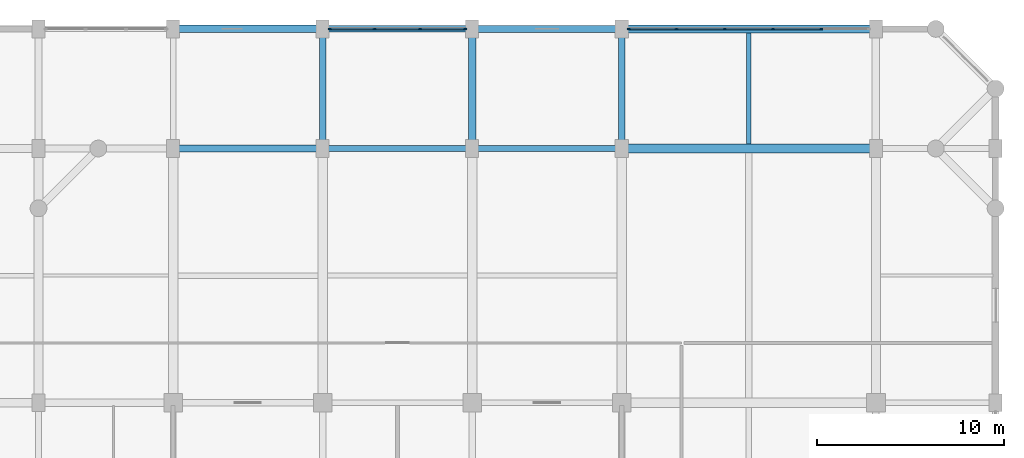
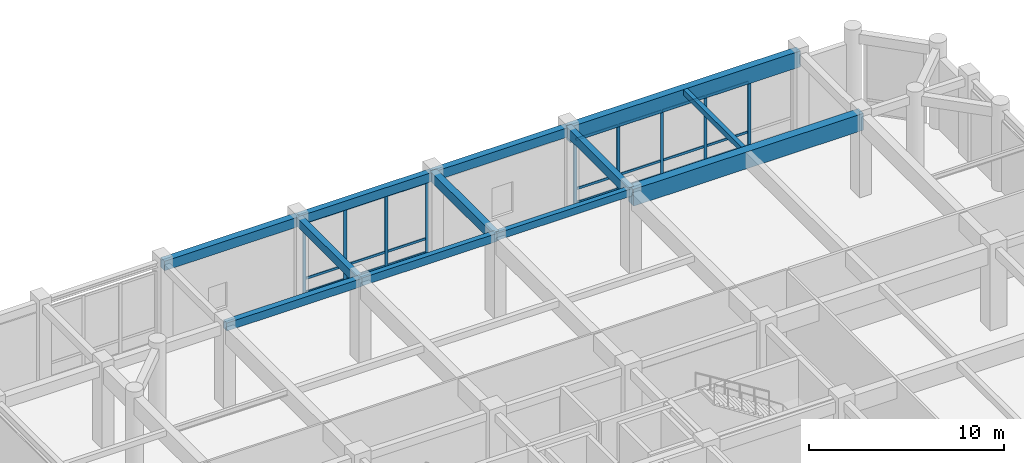
# One storey, part 17 of 36: 30 members, 12 beams, 2 elements without a shape of their own.
"""IFC4 building model written with IfcOpenShell, lengths in metres."""

import ifcopenshell
import ifcopenshell.guid

model = None  # the IFC model being written
_history = None  # IfcOwnerHistory: only IFC2X3 demands one
_inside = {}  # id of a spatial element -> (the spatial element, [elements in it])
_under = {}  # id of a project, library or spatial element -> (it, [spatial elements below it])
_declared = {}  # id of a project -> (the project, [libraries it declares])
_typed = {}  # id of a type object -> (the type object, [elements of that type])
_made_of = {}  # id of a material, layer set ... -> (it, [elements and type objects made of it])


def new_model(schema):
    """Start an empty IFC model of exactly this schema.

    Asked for "IFC4X3", IfcOpenShell would pick the latest addendum, in which some entities
    have other attributes; the version numbers below select the first issue.
    IFC2X3 requires an IfcOwnerHistory on every rooted entity: one is made here for all.
    """
    global model, _history
    if schema == "IFC4X3":
        model = ifcopenshell.file(schema_version=(4, 3, 0, 0))
    else:
        model = ifcopenshell.file(schema=schema)
    _inside.clear()
    _under.clear()
    _declared.clear()
    _typed.clear()
    _made_of.clear()
    _history = None
    if model.schema == "IFC2X3":
        org = make("IfcOrganization", Name="unknown")
        user = make(
            "IfcPersonAndOrganization",
            ThePerson=make("IfcPerson", FamilyName="unknown"),
            TheOrganization=org,
        )
        app = make(
            "IfcApplication",
            ApplicationDeveloper=org,
            Version="unknown",
            ApplicationFullName="unknown",
            ApplicationIdentifier="unknown",
        )
        _history = make(
            "IfcOwnerHistory",
            OwningUser=user,
            OwningApplication=app,
            ChangeAction="ADDED",
            CreationDate=0,
        )
    return model


def make(cls, **values):
    """One entity of the class cls with the attributes given. An attribute that is None is left unset."""
    return model.create_entity(
        cls, **{name: value for name, value in values.items() if value is not None}
    )


def rooted(cls, **values):
    """An entity with a GlobalId (a new one), such as an element, a storey or a relation."""
    return make(cls, GlobalId=ifcopenshell.guid.new(), OwnerHistory=_history, **values)


def si_unit(unit_type, name, prefix=None):
    """IfcSIUnit, for example si_unit("LENGTHUNIT", "METRE", prefix="MILLI")."""
    return make("IfcSIUnit", UnitType=unit_type, Prefix=prefix, Name=name)


def assignment(units):
    """IfcUnitAssignment: the units of a project."""
    return None if units is None else make("IfcUnitAssignment", Units=units)


def point(xyz):
    """IfcCartesianPoint."""
    return None if xyz is None else make("IfcCartesianPoint", Coordinates=xyz)


def direction(xyz):
    """IfcDirection."""
    return None if xyz is None else make("IfcDirection", DirectionRatios=xyz)


def frame(location, z_axis=None, x_axis=None):
    """IfcAxis2Placement3D, a coordinate frame: its origin and axes. An axis left out is left unset."""
    return make(
        "IfcAxis2Placement3D",
        Location=point(location),
        Axis=direction(z_axis),
        RefDirection=direction(x_axis),
    )


def frame_2d(location, x_axis=None):
    """IfcAxis2Placement2D, a coordinate frame in the plane: its origin and x axis."""
    return make(
        "IfcAxis2Placement2D", Location=point(location), RefDirection=direction(x_axis)
    )


def origin():
    """The frame at (0, 0, 0) with its axes left unset."""
    return frame((0.0, 0.0, 0.0))


def origin_2d():
    """The frame at (0, 0) in the plane with its x axis left unset."""
    return frame_2d((0.0, 0.0))


def place(relative_to, where):
    """IfcLocalPlacement: puts the frame where relative to a parent placement (None: the world)."""
    return make(
        "IfcLocalPlacement", PlacementRelTo=relative_to, RelativePlacement=where
    )


def context(
    kind, dimensions, precision=None, world=None, true_north=None, identifier=None
):
    """IfcGeometricRepresentationContext, for example the 3D "Model" context."""
    return make(
        "IfcGeometricRepresentationContext",
        ContextIdentifier=identifier,
        ContextType=kind,
        CoordinateSpaceDimension=dimensions,
        Precision=precision,
        WorldCoordinateSystem=world,
        TrueNorth=true_north,
    )


def subcontext(parent, identifier, kind, view, scale=None):
    """IfcGeometricRepresentationSubContext, for example "Body" below "Model"."""
    return make(
        "IfcGeometricRepresentationSubContext",
        ContextIdentifier=identifier,
        ContextType=kind,
        ParentContext=parent,
        TargetScale=scale,
        TargetView=view,
    )


def project(units=None, contexts=None):
    """IfcProject with its units and contexts."""
    return rooted(
        "IfcProject",
        Name="project",
        RepresentationContexts=contexts,
        UnitsInContext=assignment(units),
    )


def spatial(cls, under=None, at=None, **own):
    """A site, building, storey or space (cls), placed at a placement, below another one or the project."""
    s = rooted(cls, ObjectPlacement=at, **own)
    if under is not None:
        _under.setdefault(under.id(), (under, []))[1].append(s)
    return s


def profile(cls, at=None, kind="AREA", **sizes):
    """A parametric profile (cls). Its sizes go by their IFC names, for example OverallWidth=200.0."""
    return make(cls, ProfileType=kind, Position=at, **sizes)


def rectangle(**sizes):
    """IfcRectangleProfileDef."""
    return profile("IfcRectangleProfileDef", **sizes)


def extrude(swept, where, along, depth):
    """IfcExtrudedAreaSolid: the profile swept, set in the frame where, extruded along a direction by depth."""
    return make(
        "IfcExtrudedAreaSolid",
        SweptArea=swept,
        Position=where,
        ExtrudedDirection=direction(along),
        Depth=depth,
    )


def shape(context_of_items, identifier, shape_type, items):
    """IfcShapeRepresentation: the items that make up one representation, for example the "Body"."""
    return make(
        "IfcShapeRepresentation",
        ContextOfItems=context_of_items,
        RepresentationIdentifier=identifier,
        RepresentationType=shape_type,
        Items=items,
    )


def material(Name=None, Category=None):
    """IfcMaterial."""
    return make("IfcMaterial", Name=Name, Category=Category)


def material_profile(
    of_material, cross_section, Name=None, Category=None, Priority=None
):
    """IfcMaterialProfile: a cross section and its material."""
    return make(
        "IfcMaterialProfile",
        Name=Name,
        Material=of_material,
        Profile=cross_section,
        Priority=Priority,
        Category=Category,
    )


def profile_set(profiles, Name=None, composite=None):
    """IfcMaterialProfileSet."""
    return make(
        "IfcMaterialProfileSet",
        Name=Name,
        MaterialProfiles=profiles,
        CompositeProfile=composite,
    )


def made_of(thing, what):
    """Note that an element or type object is made of a material, layer set ...; save() writes the relation."""
    if what is not None:
        _made_of.setdefault(what.id(), (what, []))[1].append(thing)
    return thing


def type_object(cls, material=None, **own):
    """A type object (cls), such as IfcWallType, which elements share."""
    return made_of(rooted(cls, **own), material)


def element(
    cls,
    number,
    at=None,
    inside=None,
    cuts=None,
    type_object=None,
    material=None,
    context=None,
    identifier="Body",
    shape_type=None,
    held_by="IfcProductDefinitionShape",
    body=None,
    shapes=None,
    **own,
):
    """One element of the class cls, such as IfcWall. Its Tag is "e" and its number.

    at: its placement. inside: the storey or other place that contains it. cuts: it is an
    opening in that element (IfcRelVoidsElement). A single representation is given by context,
    identifier, shape_type and body (its items); several are given by shapes. held_by: the class
    of the entity that holds the representations. save() writes the other relations.
    """
    e = rooted(cls, Tag="e%d" % number, ObjectPlacement=at, **own)
    if body is not None:
        shapes = [shape(context, identifier, shape_type, body)]
    if shapes is not None:
        e.Representation = make(held_by, Representations=shapes)
    if inside is not None:
        _inside.setdefault(inside.id(), (inside, []))[1].append(e)
    if cuts is not None:
        rooted(
            "IfcRelVoidsElement", RelatingBuildingElement=cuts, RelatedOpeningElement=e
        )
    if type_object is not None:
        _typed.setdefault(type_object.id(), (type_object, []))[1].append(e)
    return made_of(e, material)


def aggregate(whole, parts):
    """IfcRelAggregates: a whole, such as a stair, and the parts it consists of."""
    return rooted("IfcRelAggregates", RelatingObject=whole, RelatedObjects=parts)


def save(model, path):
    """Write the relations noted so far, then the file.

    IfcRelAggregates (storeys below a building ...), IfcRelContainedInSpatialStructure (elements
    in a storey), IfcRelDefinesByType, IfcRelAssociatesMaterial and IfcRelDeclares: one each for
    every whole, place, type object, material and project.
    """
    for whole, parts in _under.values():
        aggregate(whole, parts)
    for where, things in _inside.values():
        rooted(
            "IfcRelContainedInSpatialStructure",
            RelatedElements=things,
            RelatingStructure=where,
        )
    for kind, things in _typed.values():
        rooted("IfcRelDefinesByType", RelatedObjects=things, RelatingType=kind)
    for what, things in _made_of.values():
        rooted("IfcRelAssociatesMaterial", RelatedObjects=things, RelatingMaterial=what)
    for by, libraries in _declared.values():
        rooted("IfcRelDeclares", RelatingContext=by, RelatedDefinitions=libraries)
    model.write(path)


model = new_model("IFC4")

# Units and contexts
model_context = context("Model", 3, precision=1e-05, world=origin(), true_north=direction((0.0, 1.0)))
body_context = subcontext(model_context, "Body", "Model", "MODEL_VIEW")
ifc_project = project(units=[si_unit("LENGTHUNIT", "METRE"), si_unit("AREAUNIT", "SQUARE_METRE"), si_unit("VOLUMEUNIT", "CUBIC_METRE"), si_unit("PLANEANGLEUNIT", "RADIAN"), si_unit("MASSUNIT", "GRAM", prefix="KILO")], contexts=[model_context])

# Site, building, storey
site_placement = place(None, origin())
site = spatial("IfcSite", under=ifc_project, at=site_placement, CompositionType="ELEMENT")
building_placement = place(site_placement, origin())
building = spatial("IfcBuilding", under=site, at=building_placement, Name="Vellmiral Cinema and Media Centre", CompositionType="ELEMENT")
storey_placement = place(building_placement, frame((0.0, 0.0, 5.39990234375)))
storey = spatial("IfcBuildingStorey", under=building, at=storey_placement, Name="L01", CompositionType="ELEMENT", Elevation=5.39990234375)

# Beams
ifc_material_1 = material(Name="Concrete C40/50", Category="concrete")
ifc_material_profile_1 = material_profile(ifc_material_1, rectangle(XDim=0.300048828125, YDim=0.449951171875, at=origin_2d()), Name="RC 300x450")
ifc_profile_set_1 = profile_set([ifc_material_profile_1], Name="Concrete C40/50")
beam_type_1 = type_object("IfcBeamType", Name="BM-RC-300x450", PredefinedType="BEAM", material=ifc_profile_set_1)
beam_1_placement = place(storey_placement, frame((140.0, 108.800048828125, 4.81005859375), z_axis=(1.0, 0.0, 0.0), x_axis=(0.0, 1.0, 0.0)))
element("IfcBeam", 1, at=beam_1_placement, inside=storey, type_object=beam_type_1, Name="Grid Beam L01-X169", PredefinedType="BEAM", context=body_context, shape_type="SweptSolid", body=[
    extrude(rectangle(XDim=0.300048828125, YDim=0.449951171875, at=origin_2d()), origin(), (0.0, 0.0, 1.0), 8.0),
])
ifc_material_2 = material(Name="Concrete C40/50", Category="concrete")
ifc_material_profile_2 = material_profile(ifc_material_2, rectangle(XDim=0.300048828125, YDim=0.5, at=origin_2d()), Name="RC 300x500")
ifc_profile_set_2 = profile_set([ifc_material_profile_2], Name="Concrete C40/50")
beam_type_2 = type_object("IfcBeamType", Name="BM-RC-300x500", PredefinedType="BEAM", material=ifc_profile_set_2)
beam_2_placement = place(storey_placement, frame((132.0, 108.800048828125, 4.78515625), z_axis=(1.0, 0.0, 0.0), x_axis=(0.0, 1.0, 0.0)))
element("IfcBeam", 2, at=beam_2_placement, inside=storey, type_object=beam_type_2, Name="Grid Beam L01-X168", PredefinedType="BEAM", context=body_context, shape_type="SweptSolid", body=[
    extrude(rectangle(XDim=0.300048828125, YDim=0.5, at=origin_2d()), origin(), (0.0, 0.0, 1.0), 8.0),
])
ifc_material_3 = material(Name="Concrete C40/50", Category="concrete")
ifc_material_profile_3 = material_profile(ifc_material_3, rectangle(XDim=0.35009765625, YDim=0.5, at=origin_2d()), Name="RC 350x500")
ifc_profile_set_3 = profile_set([ifc_material_profile_3], Name="Concrete C40/50")
beam_type_3 = type_object("IfcBeamType", Name="BM-RC-350x500", PredefinedType="BEAM", material=ifc_profile_set_3)
beam_3_placement = place(storey_placement, frame((124.0, 108.800048828125, 4.78515625), z_axis=(1.0, 0.0, 0.0), x_axis=(0.0, 1.0, 0.0)))
element("IfcBeam", 3, at=beam_3_placement, inside=storey, type_object=beam_type_3, Name="Grid Beam L01-X167", PredefinedType="BEAM", context=body_context, shape_type="SweptSolid", body=[
    extrude(rectangle(XDim=0.35009765625, YDim=0.5, at=origin_2d()), origin(), (0.0, 0.0, 1.0), 8.0),
])
ifc_material_4 = material(Name="Concrete C40/50", Category="concrete")
ifc_material_profile_4 = material_profile(ifc_material_4, rectangle(XDim=0.35009765625, YDim=0.550048828125, at=origin_2d()), Name="RC 350x550")
ifc_profile_set_4 = profile_set([ifc_material_profile_4], Name="Concrete C40/50")
beam_type_4 = type_object("IfcBeamType", Name="BM-RC-350x550", PredefinedType="BEAM", material=ifc_profile_set_4)
beam_4_placement = place(storey_placement, frame((132.0, 108.800048828125, 4.760009765625), z_axis=(0.0, 1.0, 0.0), x_axis=(-1.0, 0.0, 0.0)))
element("IfcBeam", 4, at=beam_4_placement, inside=storey, type_object=beam_type_4, Name="Grid Beam L01-Y312", PredefinedType="BEAM", context=body_context, shape_type="SweptSolid", body=[
    extrude(rectangle(XDim=0.35009765625, YDim=0.550048828125, at=origin_2d()), origin(), (0.0, 0.0, 1.0), 6.39990234375),
])
ifc_material_5 = material(Name="Concrete C40/50", Category="concrete")
ifc_material_profile_5 = material_profile(ifc_material_5, rectangle(XDim=0.35009765625, YDim=0.60009765625, at=origin_2d()), Name="RC 350x600")
ifc_profile_set_5 = profile_set([ifc_material_profile_5], Name="Concrete C40/50")
beam_type_5 = type_object("IfcBeamType", Name="BM-RC-350x600", PredefinedType="BEAM", material=ifc_profile_set_5)
beam_5_placement = place(storey_placement, frame((148.0, 108.800048828125, 4.735107421875), z_axis=(0.0, 1.0, 0.0), x_axis=(-1.0, 0.0, 0.0)))
element("IfcBeam", 5, at=beam_5_placement, inside=storey, type_object=beam_type_5, Name="Grid Beam L01-Y333", PredefinedType="BEAM", context=body_context, shape_type="SweptSolid", body=[
    extrude(rectangle(XDim=0.35009765625, YDim=0.60009765625, at=origin_2d()), origin(), (0.0, 0.0, 1.0), 6.39990234375),
])
ifc_material_6 = material(Name="Concrete C40/50", Category="concrete")
ifc_material_profile_6 = material_profile(ifc_material_6, rectangle(XDim=0.39990234375, YDim=0.60009765625, at=origin_2d()), Name="RC 400x600")
ifc_profile_set_6 = profile_set([ifc_material_profile_6], Name="Concrete C40/50")
beam_type_6 = type_object("IfcBeamType", Name="BM-RC-400x600", PredefinedType="BEAM", material=ifc_profile_set_6)
beam_6_placement = place(storey_placement, frame((140.0, 108.800048828125, 4.735107421875), z_axis=(0.0, 1.0, 0.0), x_axis=(-1.0, 0.0, 0.0)))
element("IfcBeam", 6, at=beam_6_placement, inside=storey, type_object=beam_type_6, Name="Grid Beam L01-Y321", PredefinedType="BEAM", context=body_context, shape_type="SweptSolid", body=[
    extrude(rectangle(XDim=0.39990234375, YDim=0.60009765625, at=origin_2d()), origin(), (0.0, 0.0, 1.0), 6.39990234375),
])
ifc_material_7 = material(Name="Concrete C40/50", Category="concrete")
ifc_material_profile_7 = material_profile(ifc_material_7, rectangle(XDim=0.5, YDim=1.050048828125, at=origin_2d()), Name="RC 500x1050")
ifc_profile_set_7 = profile_set([ifc_material_profile_7], Name="Concrete C40/50")
beam_type_7 = type_object("IfcBeamType", Name="BM-RCG-500x1050", PredefinedType="BEAM", material=ifc_profile_set_7)
beam_7_placement = place(storey_placement, frame((148.0, 108.800048828125, 4.510009765625), z_axis=(1.0, 0.0, 0.0), x_axis=(0.0, 1.0, 0.0)))
element("IfcBeam", 7, at=beam_7_placement, inside=storey, type_object=beam_type_7, Name="Grid Beam L01-X170", PredefinedType="BEAM", context=body_context, shape_type="SweptSolid", body=[
    extrude(rectangle(XDim=0.5, YDim=1.050048828125, at=origin_2d()), origin(), (0.0, 0.0, 1.0), 13.60009765625),
])

# Curtain wall, members
ifc_material_8 = material(Name="Thermally Broken Aluminium and Triple Glazing", Category="aluminium")
curtain_wall_type = type_object("IfcCurtainWallType", Name="CW-LIB-BAY", PredefinedType="USERDEFINED", material=ifc_material_8)
curtain_wall_1_placement = place(storey_placement, origin())
curtain_wall_1 = element("IfcCurtainWall", 8, at=curtain_wall_1_placement, inside=storey, type_object=curtain_wall_type, Name="Curtain Wall L01-B046", ObjectType="STICK CURTAIN WALL", PredefinedType="USERDEFINED")
ifc_material_9 = material(Name="Thermally Broken Anodised Aluminium", Category="aluminium")
ifc_material_profile_8 = material_profile(ifc_material_9, rectangle(XDim=0.070068359375, YDim=0.179931640625, at=origin_2d()), Name="MULL 70x180")
ifc_profile_set_8 = profile_set([ifc_material_profile_8], Name="Thermally Broken Anodised Aluminium")
member_type_1 = type_object("IfcMemberType", Name="CWM-70x180", PredefinedType="MULLION", material=ifc_profile_set_8)
member_1_placement = place(storey_placement, frame((158.669921875, 115.199951171875, 0.0), z_axis=(0.0, 0.0, 1.0), x_axis=(0.0, -1.0, 0.0)))
member_1 = element("IfcMember", 9, at=member_1_placement, type_object=member_type_1, Name="CW-03 mullion 2", PredefinedType="MULLION", context=body_context, shape_type="SweptSolid", body=[
    extrude(rectangle(XDim=0.070068359375, YDim=0.179931640625, at=origin_2d()), origin(), (0.0, 0.0, 1.0), 4.025146484375),
])
member_2_placement = place(storey_placement, frame((156.090087890625, 115.199951171875, 0.0), z_axis=(0.0, 0.0, 1.0), x_axis=(0.0, -1.0, 0.0)))
member_2 = element("IfcMember", 10, at=member_2_placement, type_object=member_type_1, Name="CW-03 mullion 3", PredefinedType="MULLION", context=body_context, shape_type="SweptSolid", body=[
    extrude(rectangle(XDim=0.070068359375, YDim=0.179931640625, at=origin_2d()), origin(), (0.0, 0.0, 1.0), 4.025146484375),
])
member_3_placement = place(storey_placement, frame((153.510009765625, 115.199951171875, 0.0), z_axis=(0.0, 0.0, 1.0), x_axis=(0.0, -1.0, 0.0)))
member_3 = element("IfcMember", 11, at=member_3_placement, type_object=member_type_1, Name="CW-03 mullion 4", PredefinedType="MULLION", context=body_context, shape_type="SweptSolid", body=[
    extrude(rectangle(XDim=0.070068359375, YDim=0.179931640625, at=origin_2d()), origin(), (0.0, 0.0, 1.0), 4.025146484375),
])
member_4_placement = place(storey_placement, frame((150.929931640625, 115.199951171875, 0.0), z_axis=(0.0, 0.0, 1.0), x_axis=(0.0, -1.0, 0.0)))
member_4 = element("IfcMember", 12, at=member_4_placement, type_object=member_type_1, Name="CW-03 mullion 5", PredefinedType="MULLION", context=body_context, shape_type="SweptSolid", body=[
    extrude(rectangle(XDim=0.070068359375, YDim=0.179931640625, at=origin_2d()), origin(), (0.0, 0.0, 1.0), 4.025146484375),
])
member_5_placement = place(storey_placement, frame((148.385009765625, 115.199951171875, 0.0), z_axis=(0.0, 0.0, 1.0), x_axis=(0.0, -1.0, 0.0)))
member_5 = element("IfcMember", 13, at=member_5_placement, type_object=member_type_1, Name="CW-03 mullion 6", PredefinedType="MULLION", context=body_context, shape_type="SweptSolid", body=[
    extrude(rectangle(XDim=0.070068359375, YDim=0.179931640625, at=origin_2d()), origin(), (0.0, 0.0, 1.0), 4.025146484375),
])

curtain_wall_2_placement = place(storey_placement, origin())
curtain_wall_2 = element("IfcCurtainWall", 14, at=curtain_wall_2_placement, inside=storey, type_object=curtain_wall_type, Name="Curtain Wall L01-B048", ObjectType="STICK CURTAIN WALL", PredefinedType="USERDEFINED")
member_6_placement = place(storey_placement, frame((139.614990234375, 115.199951171875, 0.0), z_axis=(0.0, 0.0, 1.0), x_axis=(0.0, -1.0, 0.0)))
member_6 = element("IfcMember", 15, at=member_6_placement, type_object=member_type_1, Name="CW-03 mullion 1", PredefinedType="MULLION", context=body_context, shape_type="SweptSolid", body=[
    extrude(rectangle(XDim=0.070068359375, YDim=0.179931640625, at=origin_2d()), origin(), (0.0, 0.0, 1.0), 4.440185546875),
])
member_7_placement = place(storey_placement, frame((137.216552734375, 115.199951171875, 0.0), z_axis=(0.0, 0.0, 1.0), x_axis=(0.0, -1.0, 0.0)))
member_7 = element("IfcMember", 16, at=member_7_placement, type_object=member_type_1, Name="CW-03 mullion 2", PredefinedType="MULLION", context=body_context, shape_type="SweptSolid", body=[
    extrude(rectangle(XDim=0.070068359375, YDim=0.179931640625, at=origin_2d()), origin(), (0.0, 0.0, 1.0), 4.440185546875),
])
member_8_placement = place(storey_placement, frame((134.783447265625, 115.199951171875, 0.0), z_axis=(0.0, 0.0, 1.0), x_axis=(0.0, -1.0, 0.0)))
member_8 = element("IfcMember", 17, at=member_8_placement, type_object=member_type_1, Name="CW-03 mullion 3", PredefinedType="MULLION", context=body_context, shape_type="SweptSolid", body=[
    extrude(rectangle(XDim=0.070068359375, YDim=0.179931640625, at=origin_2d()), origin(), (0.0, 0.0, 1.0), 4.440185546875),
])
member_9_placement = place(storey_placement, frame((132.385009765625, 115.199951171875, 0.0), z_axis=(0.0, 0.0, 1.0), x_axis=(0.0, -1.0, 0.0)))
member_9 = element("IfcMember", 18, at=member_9_placement, type_object=member_type_1, Name="CW-03 mullion 4", PredefinedType="MULLION", context=body_context, shape_type="SweptSolid", body=[
    extrude(rectangle(XDim=0.070068359375, YDim=0.179931640625, at=origin_2d()), origin(), (0.0, 0.0, 1.0), 4.440185546875),
])

# Member
ifc_material_10 = material(Name="Thermally Broken Anodised Aluminium", Category="aluminium")
ifc_material_profile_9 = material_profile(ifc_material_10, rectangle(XDim=0.070068359375, YDim=0.14990234375, at=origin_2d()), Name="MULL 70x150")
ifc_profile_set_9 = profile_set([ifc_material_profile_9], Name="Thermally Broken Anodised Aluminium")
member_type_2 = type_object("IfcMemberType", Name="CWT-70x150", PredefinedType="USERDEFINED", material=ifc_profile_set_9)
member_10_placement = place(storey_placement, frame((158.635009765625, 115.199951171875, 0.03515625), z_axis=(-1.0, 0.0, 0.0), x_axis=(0.0, -1.0, 0.0)))
member_10 = element("IfcMember", 19, at=member_10_placement, type_object=member_type_2, Name="CW-03 transom 2.1", ObjectType="TRANSOM", PredefinedType="USERDEFINED", context=body_context, shape_type="SweptSolid", body=[
    extrude(rectangle(XDim=0.070068359375, YDim=0.14990234375, at=origin_2d()), origin(), (0.0, 0.0, 1.0), 2.510009765625),
])

member_11_placement = place(storey_placement, frame((158.635009765625, 115.199951171875, 0.900146484375), z_axis=(-1.0, 0.0, 0.0), x_axis=(0.0, -1.0, 0.0)))
member_11 = element("IfcMember", 20, at=member_11_placement, type_object=member_type_2, Name="CW-03 transom 2.2", ObjectType="TRANSOM", PredefinedType="USERDEFINED", context=body_context, shape_type="SweptSolid", body=[
    extrude(rectangle(XDim=0.070068359375, YDim=0.14990234375, at=origin_2d()), origin(), (0.0, 0.0, 1.0), 2.510009765625),
])

member_12_placement = place(storey_placement, frame((158.635009765625, 115.199951171875, 3.989990234375), z_axis=(-1.0, 0.0, 0.0), x_axis=(0.0, -1.0, 0.0)))
member_12 = element("IfcMember", 21, at=member_12_placement, type_object=member_type_2, Name="CW-03 transom 2.3", ObjectType="TRANSOM", PredefinedType="USERDEFINED", context=body_context, shape_type="SweptSolid", body=[
    extrude(rectangle(XDim=0.070068359375, YDim=0.14990234375, at=origin_2d()), origin(), (0.0, 0.0, 1.0), 2.510009765625),
])

member_13_placement = place(storey_placement, frame((156.054931640625, 115.199951171875, 0.03515625), z_axis=(-1.0, 0.0, 0.0), x_axis=(0.0, -1.0, 0.0)))
member_13 = element("IfcMember", 22, at=member_13_placement, type_object=member_type_2, Name="CW-03 transom 3.1", ObjectType="TRANSOM", PredefinedType="USERDEFINED", context=body_context, shape_type="SweptSolid", body=[
    extrude(rectangle(XDim=0.070068359375, YDim=0.14990234375, at=origin_2d()), origin(), (0.0, 0.0, 1.0), 2.510009765625),
])

member_14_placement = place(storey_placement, frame((156.054931640625, 115.199951171875, 0.900146484375), z_axis=(-1.0, 0.0, 0.0), x_axis=(0.0, -1.0, 0.0)))
member_14 = element("IfcMember", 23, at=member_14_placement, type_object=member_type_2, Name="CW-03 transom 3.2", ObjectType="TRANSOM", PredefinedType="USERDEFINED", context=body_context, shape_type="SweptSolid", body=[
    extrude(rectangle(XDim=0.070068359375, YDim=0.14990234375, at=origin_2d()), origin(), (0.0, 0.0, 1.0), 2.510009765625),
])

member_15_placement = place(storey_placement, frame((156.054931640625, 115.199951171875, 3.989990234375), z_axis=(-1.0, 0.0, 0.0), x_axis=(0.0, -1.0, 0.0)))
member_15 = element("IfcMember", 24, at=member_15_placement, type_object=member_type_2, Name="CW-03 transom 3.3", ObjectType="TRANSOM", PredefinedType="USERDEFINED", context=body_context, shape_type="SweptSolid", body=[
    extrude(rectangle(XDim=0.070068359375, YDim=0.14990234375, at=origin_2d()), origin(), (0.0, 0.0, 1.0), 2.510009765625),
])

member_16_placement = place(storey_placement, frame((153.47509765625, 115.199951171875, 0.03515625), z_axis=(-1.0, 0.0, 0.0), x_axis=(0.0, -1.0, 0.0)))
member_16 = element("IfcMember", 25, at=member_16_placement, type_object=member_type_2, Name="CW-03 transom 4.1", ObjectType="TRANSOM", PredefinedType="USERDEFINED", context=body_context, shape_type="SweptSolid", body=[
    extrude(rectangle(XDim=0.070068359375, YDim=0.14990234375, at=origin_2d()), origin(), (0.0, 0.0, 1.0), 2.510009765625),
])

member_17_placement = place(storey_placement, frame((153.47509765625, 115.199951171875, 0.900146484375), z_axis=(-1.0, 0.0, 0.0), x_axis=(0.0, -1.0, 0.0)))
member_17 = element("IfcMember", 26, at=member_17_placement, type_object=member_type_2, Name="CW-03 transom 4.2", ObjectType="TRANSOM", PredefinedType="USERDEFINED", context=body_context, shape_type="SweptSolid", body=[
    extrude(rectangle(XDim=0.070068359375, YDim=0.14990234375, at=origin_2d()), origin(), (0.0, 0.0, 1.0), 2.510009765625),
])

member_18_placement = place(storey_placement, frame((153.47509765625, 115.199951171875, 3.989990234375), z_axis=(-1.0, 0.0, 0.0), x_axis=(0.0, -1.0, 0.0)))
member_18 = element("IfcMember", 27, at=member_18_placement, type_object=member_type_2, Name="CW-03 transom 4.3", ObjectType="TRANSOM", PredefinedType="USERDEFINED", context=body_context, shape_type="SweptSolid", body=[
    extrude(rectangle(XDim=0.070068359375, YDim=0.14990234375, at=origin_2d()), origin(), (0.0, 0.0, 1.0), 2.510009765625),
])

member_19_placement = place(storey_placement, frame((150.89501953125, 115.199951171875, 0.03515625), z_axis=(-1.0, 0.0, 0.0), x_axis=(0.0, -1.0, 0.0)))
member_19 = element("IfcMember", 28, at=member_19_placement, type_object=member_type_2, Name="CW-03 transom 5.1", ObjectType="TRANSOM", PredefinedType="USERDEFINED", context=body_context, shape_type="SweptSolid", body=[
    extrude(rectangle(XDim=0.070068359375, YDim=0.14990234375, at=origin_2d()), origin(), (0.0, 0.0, 1.0), 2.47509765625),
])

member_20_placement = place(storey_placement, frame((150.89501953125, 115.199951171875, 0.900146484375), z_axis=(-1.0, 0.0, 0.0), x_axis=(0.0, -1.0, 0.0)))
member_20 = element("IfcMember", 29, at=member_20_placement, type_object=member_type_2, Name="CW-03 transom 5.2", ObjectType="TRANSOM", PredefinedType="USERDEFINED", context=body_context, shape_type="SweptSolid", body=[
    extrude(rectangle(XDim=0.070068359375, YDim=0.14990234375, at=origin_2d()), origin(), (0.0, 0.0, 1.0), 2.47509765625),
])

member_21_placement = place(storey_placement, frame((150.89501953125, 115.199951171875, 3.989990234375), z_axis=(-1.0, 0.0, 0.0), x_axis=(0.0, -1.0, 0.0)))
member_21 = element("IfcMember", 30, at=member_21_placement, type_object=member_type_2, Name="CW-03 transom 5.3", ObjectType="TRANSOM", PredefinedType="USERDEFINED", context=body_context, shape_type="SweptSolid", body=[
    extrude(rectangle(XDim=0.070068359375, YDim=0.14990234375, at=origin_2d()), origin(), (0.0, 0.0, 1.0), 2.47509765625),
])

aggregate(curtain_wall_1, [member_1, member_2, member_3, member_4, member_5, member_10, member_11, member_12, member_13, member_14, member_15, member_16, member_17, member_18, member_19, member_20, member_21])

member_22_placement = place(storey_placement, frame((139.580078125, 115.199951171875, 0.03515625), z_axis=(-1.0, 0.0, 0.0), x_axis=(0.0, -1.0, 0.0)))
member_22 = element("IfcMember", 31, at=member_22_placement, type_object=member_type_2, Name="CW-03 transom 1.1", ObjectType="TRANSOM", PredefinedType="USERDEFINED", context=body_context, shape_type="SweptSolid", body=[
    extrude(rectangle(XDim=0.070068359375, YDim=0.14990234375, at=origin_2d()), origin(), (0.0, 0.0, 1.0), 2.328369140625),
])

member_23_placement = place(storey_placement, frame((139.580078125, 115.199951171875, 0.900146484375), z_axis=(-1.0, 0.0, 0.0), x_axis=(0.0, -1.0, 0.0)))
member_23 = element("IfcMember", 32, at=member_23_placement, type_object=member_type_2, Name="CW-03 transom 1.2", ObjectType="TRANSOM", PredefinedType="USERDEFINED", context=body_context, shape_type="SweptSolid", body=[
    extrude(rectangle(XDim=0.070068359375, YDim=0.14990234375, at=origin_2d()), origin(), (0.0, 0.0, 1.0), 2.328369140625),
])

member_24_placement = place(storey_placement, frame((139.580078125, 115.199951171875, 4.405029296875), z_axis=(-1.0, 0.0, 0.0), x_axis=(0.0, -1.0, 0.0)))
member_24 = element("IfcMember", 33, at=member_24_placement, type_object=member_type_2, Name="CW-03 transom 1.3", ObjectType="TRANSOM", PredefinedType="USERDEFINED", context=body_context, shape_type="SweptSolid", body=[
    extrude(rectangle(XDim=0.070068359375, YDim=0.14990234375, at=origin_2d()), origin(), (0.0, 0.0, 1.0), 2.328369140625),
])

member_25_placement = place(storey_placement, frame((137.181640625, 115.199951171875, 0.03515625), z_axis=(-1.0, 0.0, 0.0), x_axis=(0.0, -1.0, 0.0)))
member_25 = element("IfcMember", 34, at=member_25_placement, type_object=member_type_2, Name="CW-03 transom 2.1", ObjectType="TRANSOM", PredefinedType="USERDEFINED", context=body_context, shape_type="SweptSolid", body=[
    extrude(rectangle(XDim=0.070068359375, YDim=0.14990234375, at=origin_2d()), origin(), (0.0, 0.0, 1.0), 2.36328125),
])

member_26_placement = place(storey_placement, frame((137.181640625, 115.199951171875, 0.900146484375), z_axis=(-1.0, 0.0, 0.0), x_axis=(0.0, -1.0, 0.0)))
member_26 = element("IfcMember", 35, at=member_26_placement, type_object=member_type_2, Name="CW-03 transom 2.2", ObjectType="TRANSOM", PredefinedType="USERDEFINED", context=body_context, shape_type="SweptSolid", body=[
    extrude(rectangle(XDim=0.070068359375, YDim=0.14990234375, at=origin_2d()), origin(), (0.0, 0.0, 1.0), 2.36328125),
])

member_27_placement = place(storey_placement, frame((137.181640625, 115.199951171875, 4.405029296875), z_axis=(-1.0, 0.0, 0.0), x_axis=(0.0, -1.0, 0.0)))
member_27 = element("IfcMember", 36, at=member_27_placement, type_object=member_type_2, Name="CW-03 transom 2.3", ObjectType="TRANSOM", PredefinedType="USERDEFINED", context=body_context, shape_type="SweptSolid", body=[
    extrude(rectangle(XDim=0.070068359375, YDim=0.14990234375, at=origin_2d()), origin(), (0.0, 0.0, 1.0), 2.36328125),
])

member_28_placement = place(storey_placement, frame((134.748291015625, 115.199951171875, 0.03515625), z_axis=(-1.0, 0.0, 0.0), x_axis=(0.0, -1.0, 0.0)))
member_28 = element("IfcMember", 37, at=member_28_placement, type_object=member_type_2, Name="CW-03 transom 3.1", ObjectType="TRANSOM", PredefinedType="USERDEFINED", context=body_context, shape_type="SweptSolid", body=[
    extrude(rectangle(XDim=0.070068359375, YDim=0.14990234375, at=origin_2d()), origin(), (0.0, 0.0, 1.0), 2.328369140625),
])

member_29_placement = place(storey_placement, frame((134.748291015625, 115.199951171875, 0.900146484375), z_axis=(-1.0, 0.0, 0.0), x_axis=(0.0, -1.0, 0.0)))
member_29 = element("IfcMember", 38, at=member_29_placement, type_object=member_type_2, Name="CW-03 transom 3.2", ObjectType="TRANSOM", PredefinedType="USERDEFINED", context=body_context, shape_type="SweptSolid", body=[
    extrude(rectangle(XDim=0.070068359375, YDim=0.14990234375, at=origin_2d()), origin(), (0.0, 0.0, 1.0), 2.328369140625),
])

member_30_placement = place(storey_placement, frame((134.748291015625, 115.199951171875, 4.405029296875), z_axis=(-1.0, 0.0, 0.0), x_axis=(0.0, -1.0, 0.0)))
member_30 = element("IfcMember", 39, at=member_30_placement, type_object=member_type_2, Name="CW-03 transom 3.3", ObjectType="TRANSOM", PredefinedType="USERDEFINED", context=body_context, shape_type="SweptSolid", body=[
    extrude(rectangle(XDim=0.070068359375, YDim=0.14990234375, at=origin_2d()), origin(), (0.0, 0.0, 1.0), 2.328369140625),
])

aggregate(curtain_wall_2, [member_6, member_7, member_8, member_9, member_22, member_23, member_24, member_25, member_26, member_27, member_28, member_29, member_30])

# Beams
ifc_material_11 = material(Name="Concrete C40/50", Category="concrete")
ifc_material_profile_10 = material_profile(ifc_material_11, rectangle(XDim=0.25, YDim=0.35009765625, at=origin_2d()), Name="RC 250x350")
ifc_profile_set_10 = profile_set([ifc_material_profile_10], Name="Concrete C40/50")
beam_type_8 = type_object("IfcBeamType", Name="JST-RC-250x350", PredefinedType="JOIST", material=ifc_profile_set_10)
beam_8_placement = place(storey_placement, frame((154.800048828125, 109.050048828125, 4.860107421875), z_axis=(0.0, 1.0, 0.0), x_axis=(-1.0, 0.0, 0.0)))
element("IfcBeam", 40, at=beam_8_placement, inside=storey, type_object=beam_type_8, Name="Secondary Floor Joist L01-032", PredefinedType="JOIST", context=body_context, shape_type="SweptSolid", body=[
    extrude(rectangle(XDim=0.25, YDim=0.35009765625, at=origin_2d()), origin(), (0.0, 0.0, 1.0), 5.93994140625),
])
ifc_material_12 = material(Name="Concrete C40/50", Category="concrete")
ifc_material_profile_11 = material_profile(ifc_material_12, rectangle(XDim=0.35009765625, YDim=0.56005859375, at=origin_2d()), Name="RC 350x560")
ifc_profile_set_11 = profile_set([ifc_material_profile_11], Name="Concrete C40/50")
beam_type_9 = type_object("IfcBeamType", Name="SPD-RC-350x560", PredefinedType="SPANDREL", material=ifc_profile_set_11)
beam_9_placement = place(storey_placement, frame((132.0, 115.199951171875, 4.755126953125), z_axis=(1.0, 0.0, 0.0), x_axis=(0.0, 1.0, 0.0)))
element("IfcBeam", 41, at=beam_9_placement, inside=storey, type_object=beam_type_9, Name="Grid Beam L01-X175", PredefinedType="SPANDREL", context=body_context, shape_type="SweptSolid", body=[
    extrude(rectangle(XDim=0.35009765625, YDim=0.56005859375, at=origin_2d()), origin(), (0.0, 0.0, 1.0), 8.0),
])
ifc_material_13 = material(Name="Concrete C40/50", Category="concrete")
ifc_material_profile_12 = material_profile(ifc_material_13, rectangle(XDim=0.39990234375, YDim=0.60009765625, at=origin_2d()), Name="RC 400x600")
ifc_profile_set_12 = profile_set([ifc_material_profile_12], Name="Concrete C40/50")
beam_type_10 = type_object("IfcBeamType", Name="SPD-RC-400x600", PredefinedType="SPANDREL", material=ifc_profile_set_12)
beam_10_placement = place(storey_placement, frame((124.0, 115.199951171875, 4.735107421875), z_axis=(1.0, 0.0, 0.0), x_axis=(0.0, 1.0, 0.0)))
element("IfcBeam", 42, at=beam_10_placement, inside=storey, type_object=beam_type_10, Name="Grid Beam L01-X174", PredefinedType="SPANDREL", context=body_context, shape_type="SweptSolid", body=[
    extrude(rectangle(XDim=0.39990234375, YDim=0.60009765625, at=origin_2d()), origin(), (0.0, 0.0, 1.0), 8.0),
])
ifc_material_14 = material(Name="Vosges Red Sandstone Masonry", Category="masonry")
ifc_material_profile_13 = material_profile(ifc_material_14, rectangle(XDim=0.3798828125, YDim=0.580078125, at=origin_2d()), Name="SAND 380x580")
ifc_profile_set_13 = profile_set([ifc_material_profile_13], Name="Vosges Red Sandstone Masonry")
beam_type_11 = type_object("IfcBeamType", Name="SPD-SAND-380x580", PredefinedType="SPANDREL", material=ifc_profile_set_13)
beam_11_placement = place(storey_placement, frame((140.0, 115.199951171875, 4.7451171875), z_axis=(1.0, 0.0, 0.0), x_axis=(0.0, 1.0, 0.0)))
element("IfcBeam", 43, at=beam_11_placement, inside=storey, type_object=beam_type_11, Name="Grid Beam L01-X176", PredefinedType="SPANDREL", context=body_context, shape_type="SweptSolid", body=[
    extrude(rectangle(XDim=0.3798828125, YDim=0.580078125, at=origin_2d()), origin(), (0.0, 0.0, 1.0), 8.0),
])
ifc_material_15 = material(Name="Vosges Red Sandstone Masonry", Category="masonry")
ifc_material_profile_14 = material_profile(ifc_material_15, rectangle(XDim=0.419921875, YDim=1.0, at=origin_2d()), Name="SAND 420x1000")
ifc_profile_set_14 = profile_set([ifc_material_profile_14], Name="Vosges Red Sandstone Masonry")
beam_type_12 = type_object("IfcBeamType", Name="SPD-SANDG-420x1000", PredefinedType="SPANDREL", material=ifc_profile_set_14)
beam_12_placement = place(storey_placement, frame((148.0, 115.199951171875, 4.53515625), z_axis=(1.0, 0.0, 0.0), x_axis=(0.0, 1.0, 0.0)))
element("IfcBeam", 44, at=beam_12_placement, inside=storey, type_object=beam_type_12, Name="Grid Beam L01-X177", PredefinedType="SPANDREL", context=body_context, shape_type="SweptSolid", body=[
    extrude(rectangle(XDim=0.419921875, YDim=1.0, at=origin_2d()), origin(), (0.0, 0.0, 1.0), 13.60009765625),
])

save(model, "model.ifc")
